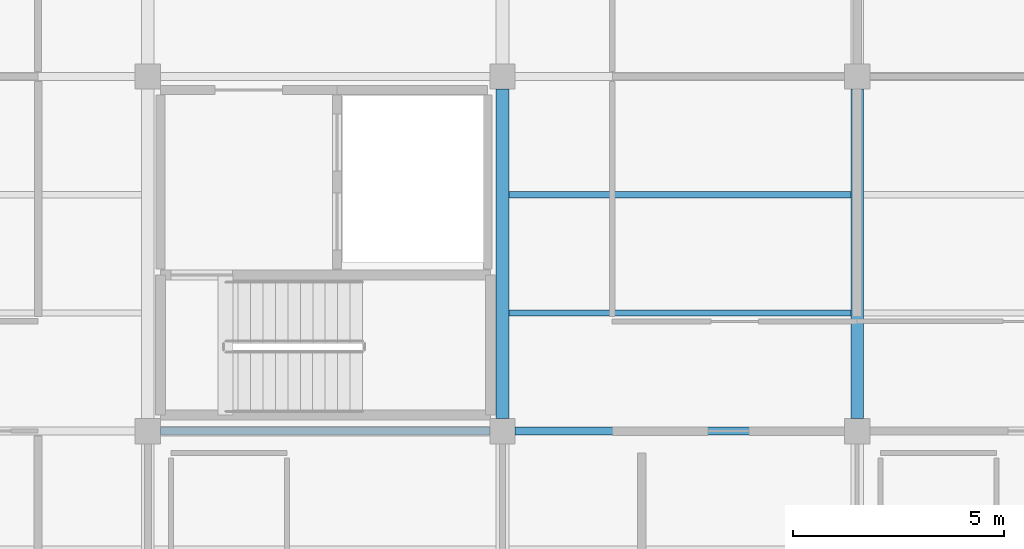
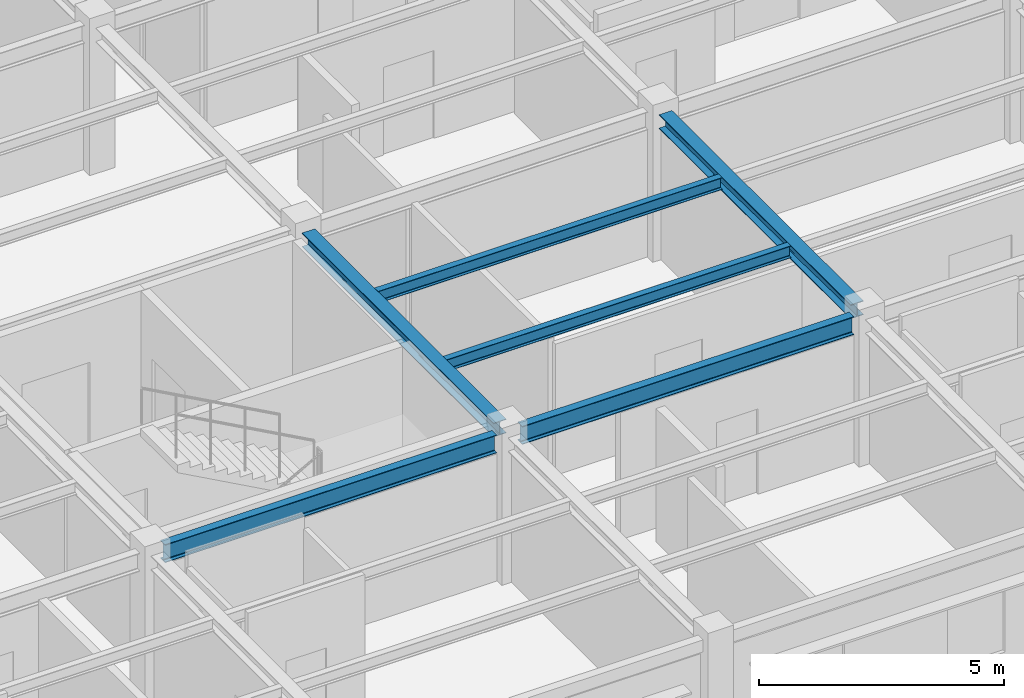
# One storey, part 5 of 86: 6 beams.
"""IFC4 building model written with IfcOpenShell, lengths in metres."""

from ifc_helpers import new_model, si_unit, direction, frame, origin, origin_2d, place, context, subcontext, project, spatial, i_section, extrude, material, material_profile, profile_set, type_object, element, save


model = new_model("IFC4")

# Units and contexts
model_context = context("Model", 3, precision=1e-05, world=origin(), true_north=direction((0.0, 1.0)))
body_context = subcontext(model_context, "Body", "Model", "MODEL_VIEW")
ifc_project = project(units=[si_unit("LENGTHUNIT", "METRE"), si_unit("AREAUNIT", "SQUARE_METRE"), si_unit("VOLUMEUNIT", "CUBIC_METRE"), si_unit("PLANEANGLEUNIT", "RADIAN"), si_unit("MASSUNIT", "GRAM", prefix="KILO")], contexts=[model_context])

# Site, building, storey
site_placement = place(None, origin())
site = spatial("IfcSite", under=ifc_project, at=site_placement, CompositionType="ELEMENT")
building_placement = place(site_placement, origin())
building = spatial("IfcBuilding", under=site, at=building_placement, Name="Bramfleet General Hospital", CompositionType="ELEMENT")
storey_placement = place(building_placement, frame((0.0, 0.0, 18.60009765625)))
storey = spatial("IfcBuildingStorey", under=building, at=storey_placement, Name="L04", CompositionType="ELEMENT", Elevation=18.60009765625)

# Beams
ifc_material = material(Name="Steel S355", Category="steel")
ifc_material_profile_1 = material_profile(ifc_material, i_section(OverallWidth=0.300048828125, OverallDepth=0.35009765625, WebThickness=0.010009765625, FlangeThickness=0.017578125, FilletRadius=0.027099609375, at=origin_2d()), Name="HEA 360")
ifc_profile_set_1 = profile_set([ifc_material_profile_1], Name="Steel S355")
beam_type_1 = type_object("IfcBeamType", Name="BM-HEA360", PredefinedType="BEAM", material=ifc_profile_set_1)
for number, where, z_axis, x_axis, name in (
    (1, (109.199951171875, 8.699951171875, 3.44482421875), (0.0, 1.0, 0.0), (-1.0, 0.0, 0.0), "L04 Grid Beam Y 13-01"),
    (2, (117.60009765625, 8.699951171875, 3.44482421875), (0.0, 1.0, 0.0), (-1.0, 0.0, 0.0), "L04 Grid Beam Y 14-01"),
):
    element("IfcBeam", number, at=place(storey_placement, frame(where, z_axis=z_axis, x_axis=x_axis)), inside=storey, type_object=beam_type_1, Name=name, PredefinedType="BEAM", context=body_context, shape_type="SweptSolid", body=[
        extrude(i_section(OverallWidth=0.300048828125, OverallDepth=0.35009765625, WebThickness=0.010009765625, FlangeThickness=0.017578125, FilletRadius=0.027099609375, at=origin_2d()), origin(), (0.0, 0.0, 1.0), 7.800048828125),
    ])
ifc_material_profile_2 = material_profile(ifc_material, i_section(OverallWidth=0.14990234375, OverallDepth=0.300048828125, WebThickness=0.007080078125, FlangeThickness=0.0107421875, FilletRadius=0.014892578125, at=origin_2d()), Name="IPE 300")
ifc_profile_set_2 = profile_set([ifc_material_profile_2], Name="Steel S355")
beam_type_2 = type_object("IfcBeamType", Name="BM-IPE300", PredefinedType="JOIST", material=ifc_profile_set_2)
for number, where, z_axis, x_axis, name in (
    (3, (109.35009765625, 11.199951171875, 3.469970703125), (1.0, 0.0, 0.0), (0.0, 1.0, 0.0), "L04 Secondary Joist 13-01-1"),
    (4, (109.35009765625, 14.0, 3.469970703125), (1.0, 0.0, 0.0), (0.0, 1.0, 0.0), "L04 Secondary Joist 13-01-2"),
):
    element("IfcBeam", number, at=place(storey_placement, frame(where, z_axis=z_axis, x_axis=x_axis)), inside=storey, type_object=beam_type_2, Name=name, PredefinedType="JOIST", context=body_context, shape_type="SweptSolid", body=[
        extrude(i_section(OverallWidth=0.14990234375, OverallDepth=0.300048828125, WebThickness=0.007080078125, FlangeThickness=0.0107421875, FilletRadius=0.014892578125, at=origin_2d()), origin(), (0.0, 0.0, 1.0), 8.099853515625),
    ])
ifc_material_profile_3 = material_profile(ifc_material, i_section(OverallWidth=0.18994140625, OverallDepth=0.449951171875, WebThickness=0.009521484375, FlangeThickness=0.0146484375, FilletRadius=0.02099609375, at=origin_2d()), Name="IPE 450")
ifc_profile_set_3 = profile_set([ifc_material_profile_3], Name="Steel S355")
beam_type_3 = type_object("IfcBeamType", Name="BM-IPE450", PredefinedType="BEAM", material=ifc_profile_set_3)
beam_1_placement = place(storey_placement, frame((101.10009765625, 8.39990234375, 3.39501953125), z_axis=(1.0, 0.0, 0.0), x_axis=(0.0, 1.0, 0.0)))
element("IfcBeam", 5, at=beam_1_placement, inside=storey, type_object=beam_type_3, Name="L04 Grid Beam X 12-01", PredefinedType="BEAM", context=body_context, shape_type="SweptSolid", body=[
    extrude(i_section(OverallWidth=0.18994140625, OverallDepth=0.449951171875, WebThickness=0.009521484375, FlangeThickness=0.0146484375, FilletRadius=0.02099609375, at=origin_2d()), origin(), (0.0, 0.0, 1.0), 7.7998046875),
])
beam_2_placement = place(storey_placement, frame((109.5, 8.39990234375, 3.39501953125), z_axis=(1.0, 0.0, 0.0), x_axis=(0.0, 1.0, 0.0)))
element("IfcBeam", 6, at=beam_2_placement, inside=storey, type_object=beam_type_3, Name="L04 Grid Beam X 13-01", PredefinedType="BEAM", context=body_context, shape_type="SweptSolid", body=[
    extrude(i_section(OverallWidth=0.18994140625, OverallDepth=0.449951171875, WebThickness=0.009521484375, FlangeThickness=0.0146484375, FilletRadius=0.02099609375, at=origin_2d()), origin(), (0.0, 0.0, 1.0), 7.800048828125),
])

save(model, "model.ifc")
